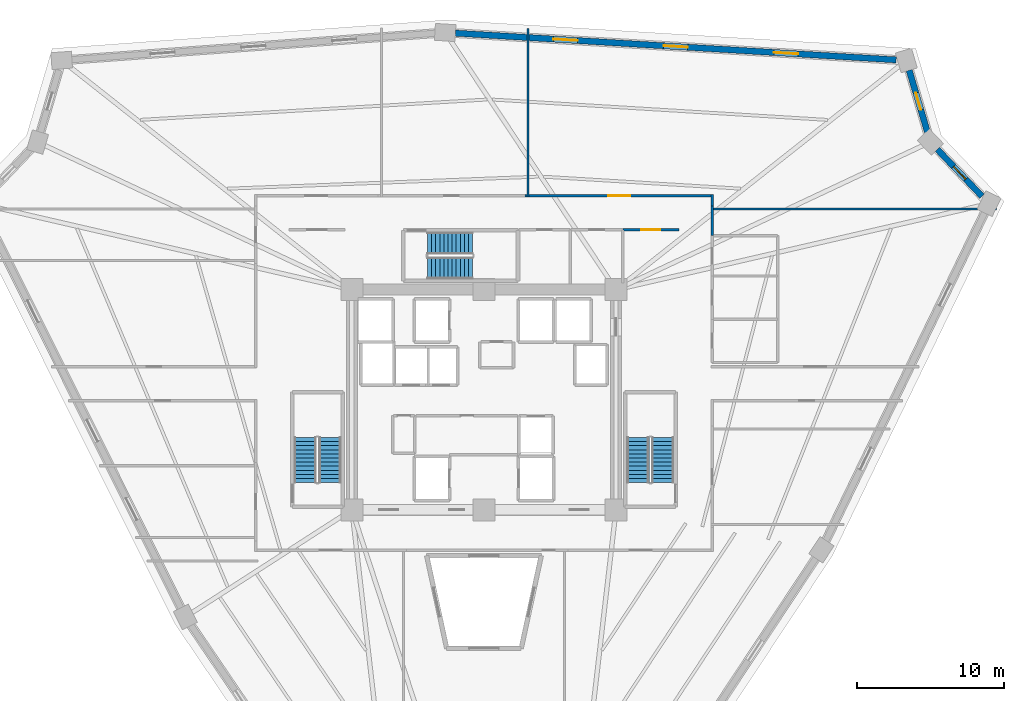
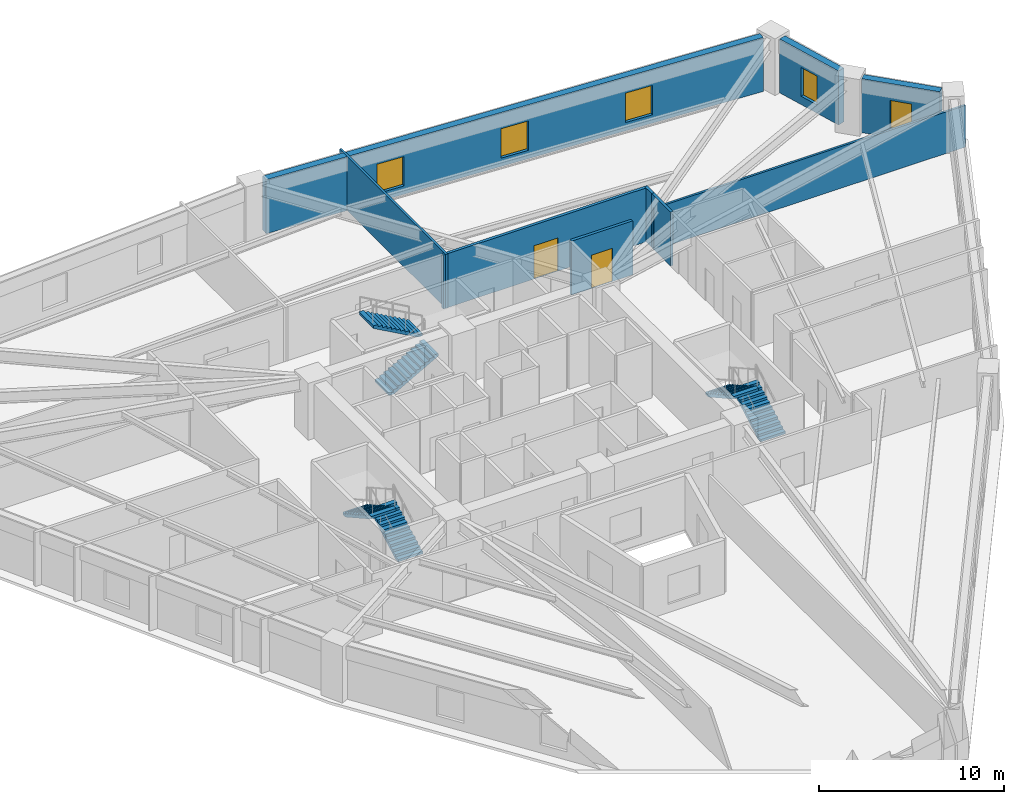
# One storey, part 7 of 8: 9 walls, 6 stair flights, 5 windows, 2 doors, 7 openings, 3 elements without a shape of their own.
"""IFC4 building model written with IfcOpenShell, lengths in metres."""

from ifc_helpers import new_model, si_unit, direction, frame, frame_2d, origin, place, context, subcontext, project, spatial, polyline, rectangle, outline, extrude, source, transform, mapped, material, layer, layer_set, type_object, element, fill, aggregate, save


model = new_model("IFC4")

# Units and contexts
model_context = context("Model", 3, precision=1e-05, world=origin(), true_north=direction((0.0, 1.0)))
body_context = subcontext(model_context, "Body", "Model", "MODEL_VIEW")
ifc_project = project(units=[si_unit("LENGTHUNIT", "METRE"), si_unit("AREAUNIT", "SQUARE_METRE"), si_unit("VOLUMEUNIT", "CUBIC_METRE"), si_unit("PLANEANGLEUNIT", "RADIAN"), si_unit("MASSUNIT", "GRAM", prefix="KILO")], contexts=[model_context])

# Site, building, storey
site_placement = place(None, origin())
site = spatial("IfcSite", under=ifc_project, at=site_placement, CompositionType="ELEMENT")
building_placement = place(site_placement, origin())
building = spatial("IfcBuilding", under=site, at=building_placement, Name="Liaohun Quay Tower", CompositionType="ELEMENT")
storey_placement = place(building_placement, frame((0.0, 0.0, 177.75)))
storey = spatial("IfcBuildingStorey", under=building, at=storey_placement, Name="L46", CompositionType="ELEMENT", Elevation=177.75)

# Wall, opening, window
ifc_material_1 = material(Name="Precast concrete C50 insulated sandwich", Category="concrete")
ifc_layer_1 = layer(ifc_material_1, 0.419921875, Name="Precast concrete C50 insulated sandwich", Category="concrete")
ifc_layer_set_1 = layer_set([ifc_layer_1], Name="Precast concrete C50 insulated sandwich")
wall_type_1 = type_object("IfcWallType", Name="WAL-EXT-Z12", PredefinedType="SOLIDWALL", material=ifc_layer_set_1)
wall_1_placement = place(storey_placement, frame((93.948974609375, 67.864990234375, 0.0), z_axis=(0.0, 0.0, 1.0), x_axis=(-0.68923569457, 0.724537202171, 0.0)))
wall_1 = element("IfcWall", 1, at=wall_1_placement, inside=storey, type_object=wall_type_1, Name="L46 Brutalist Precast Pier Wall 04", PredefinedType="SOLIDWALL", context=body_context, shape_type="SweptSolid", body=[
    extrude(rectangle(XDim=4.419189453125, YDim=0.419921875, at=frame_2d((2.20947265625, 0.0))), origin(), (0.0, 0.0, 1.0), 3.570068359375),
])
shared_shape_1 = source(origin(), body_context, "Body", "SweptSolid", [
    extrude(rectangle(XDim=1.199951171875, YDim=1.89990234375, at=frame_2d((0.60009765625, 0.949951171875))), frame((0.0, 0.219970703125, 0.0), z_axis=(0.0, -1.0, 0.0), x_axis=(1.0, 0.0, 0.0)), (0.0, 0.0, 1.0), 0.43994140625),
])
opening_1_placement = place(wall_1_placement, frame((1.610107421875, 0.0, 0.550048828125)))
opening_1 = element("IfcOpeningElement", 2, at=opening_1_placement, cuts=wall_1, Name="Opening W05", PredefinedType="OPENING", context=body_context, shape_type="MappedRepresentation", body=[
    mapped(shared_shape_1, transform((0.0, 0.0, 0.0), x_axis=(1.0, 0.0, 0.0), y_axis=(0.0, 1.0, 0.0), z_axis=(0.0, 0.0, 1.0), scale=1.0)),
])
ifc_material_2 = material(Name="Triple Low-E corner notch glazing", Category="glass")
window_type_1 = type_object("IfcWindowType", Name="WIN-NOTCH", PartitioningType="SINGLE_PANEL", PredefinedType="WINDOW", material=ifc_material_2)
shared_shape_2 = source(origin(), body_context, "Body", "SweptSolid", [
    extrude(rectangle(XDim=1.199951171875, YDim=1.89990234375, at=frame_2d((0.60009765625, 0.949951171875))), frame((0.0, 0.030029296875, 0.0), z_axis=(0.0, -1.0, 0.0), x_axis=(1.0, 0.0, 0.0)), (0.0, 0.0, 1.0), 0.06005859375),
])
window_1_placement = place(opening_1_placement, origin())
window_1 = element("IfcWindow", 3, at=window_1_placement, inside=storey, type_object=window_type_1, Name="L46 Corner Notch Window W05-04", OverallHeight=1.89990234375, OverallWidth=1.199951171875, PartitioningType="SINGLE_PANEL", PredefinedType="WINDOW", context=body_context, shape_type="MappedRepresentation", body=[
    mapped(shared_shape_2, transform((0.0, 0.0, 0.0), x_axis=(1.0, 0.0, 0.0), y_axis=(0.0, 1.0, 0.0), z_axis=(0.0, 0.0, 1.0), scale=1.0)),
])
fill(opening_1, window_1)

wall_2_placement = place(storey_placement, frame((90.23193359375, 72.22900390625, 0.0), z_axis=(0.0, 0.0, 1.0), x_axis=(-0.283010794754, 0.959116723894, 0.0)))
wall_2 = element("IfcWall", 4, at=wall_2_placement, inside=storey, type_object=wall_type_1, Name="L46 Brutalist Precast Pier Wall 05", PredefinedType="SOLIDWALL", context=body_context, shape_type="SweptSolid", body=[
    extrude(rectangle(XDim=4.413330078125, YDim=0.419921875, at=frame_2d((2.20654296875, 0.0))), origin(), (0.0, 0.0, 1.0), 3.570068359375),
])
opening_2_placement = place(wall_2_placement, frame((1.60693359375, 0.0, 0.550048828125)))
opening_2 = element("IfcOpeningElement", 5, at=opening_2_placement, cuts=wall_2, Name="Opening W05", PredefinedType="OPENING", context=body_context, shape_type="MappedRepresentation", body=[
    mapped(shared_shape_1, transform((0.0, 0.0, 0.0), x_axis=(1.0, 0.0, 0.0), y_axis=(0.0, 1.0, 0.0), z_axis=(0.0, 0.0, 1.0), scale=1.0)),
])
window_2_placement = place(opening_2_placement, origin())
window_2 = element("IfcWindow", 6, at=window_2_placement, inside=storey, type_object=window_type_1, Name="L46 Corner Notch Window W05-05", OverallHeight=1.89990234375, OverallWidth=1.199951171875, PartitioningType="SINGLE_PANEL", PredefinedType="WINDOW", context=body_context, shape_type="MappedRepresentation", body=[
    mapped(shared_shape_2, transform((0.0, 0.0, 0.0), x_axis=(1.0, 0.0, 0.0), y_axis=(0.0, 1.0, 0.0), z_axis=(0.0, 0.0, 1.0), scale=1.0)),
])
fill(opening_2, window_2)

# Wall, openings, windows
wall_3_placement = place(storey_placement, frame((88.09912109375, 77.166015625, 0.0), z_axis=(0.0, 0.0, 1.0), x_axis=(-0.998161501753, 0.060610365596, 0.0)))
wall_3 = element("IfcWall", 7, at=wall_3_placement, inside=storey, type_object=wall_type_1, Name="L46 Brutalist Precast Pier Wall 06", PredefinedType="SOLIDWALL", context=body_context, shape_type="SweptSolid", body=[
    extrude(rectangle(XDim=30.109619140625, YDim=0.419921875, at=frame_2d((15.0546875, 0.0))), origin(), (0.0, 0.0, 1.0), 3.570068359375),
])
shared_shape_3 = source(origin(), body_context, "Body", "SweptSolid", [
    extrude(rectangle(XDim=1.64990234375, YDim=1.949951171875, at=frame_2d((0.824951171875, 0.97509765625))), frame((0.0, 0.219970703125, 0.0), z_axis=(0.0, -1.0, 0.0), x_axis=(1.0, 0.0, 0.0)), (0.0, 0.0, 1.0), 0.43994140625),
])
opening_3_placement = place(wall_3_placement, frame((6.701904296875, 0.0, 0.550048828125)))
opening_3 = element("IfcOpeningElement", 8, at=opening_3_placement, cuts=wall_3, Name="Opening W02", PredefinedType="OPENING", context=body_context, shape_type="MappedRepresentation", body=[
    mapped(shared_shape_3, transform((0.0, 0.0, 0.0), x_axis=(1.0, 0.0, 0.0), y_axis=(0.0, 1.0, 0.0), z_axis=(0.0, 0.0, 1.0), scale=1.0)),
])
opening_4_placement = place(wall_3_placement, frame((14.22998046875, 0.0, 0.550048828125)))
opening_4 = element("IfcOpeningElement", 9, at=opening_4_placement, cuts=wall_3, Name="Opening W02", PredefinedType="OPENING", context=body_context, shape_type="MappedRepresentation", body=[
    mapped(shared_shape_3, transform((0.0, 0.0, 0.0), x_axis=(1.0, 0.0, 0.0), y_axis=(0.0, 1.0, 0.0), z_axis=(0.0, 0.0, 1.0), scale=1.0)),
])
opening_5_placement = place(wall_3_placement, frame((21.757080078125, 0.0, 0.550048828125)))
opening_5 = element("IfcOpeningElement", 10, at=opening_5_placement, cuts=wall_3, Name="Opening W02", PredefinedType="OPENING", context=body_context, shape_type="MappedRepresentation", body=[
    mapped(shared_shape_3, transform((0.0, 0.0, 0.0), x_axis=(1.0, 0.0, 0.0), y_axis=(0.0, 1.0, 0.0), z_axis=(0.0, 0.0, 1.0), scale=1.0)),
])
ifc_material_3 = material(Name="Triple Low-E argon glazing in thermally broken aluminium", Category="aluminium")
window_type_2 = type_object("IfcWindowType", Name="WIN-PUN-Z2", PartitioningType="DOUBLE_PANEL_VERTICAL", PredefinedType="WINDOW", material=ifc_material_3)
shared_shape_4 = source(origin(), body_context, "Body", "SweptSolid", [
    extrude(rectangle(XDim=1.64990234375, YDim=1.949951171875, at=frame_2d((0.824951171875, 0.97509765625))), frame((0.0, 0.030029296875, 0.0), z_axis=(0.0, -1.0, 0.0), x_axis=(1.0, 0.0, 0.0)), (0.0, 0.0, 1.0), 0.06005859375),
])
window_3_placement = place(opening_3_placement, origin())
window_3 = element("IfcWindow", 11, at=window_3_placement, inside=storey, type_object=window_type_2, Name="L46 Recessed Cold-Climate Punched Window 06-1", OverallHeight=1.949951171875, OverallWidth=1.64990234375, PartitioningType="DOUBLE_PANEL_VERTICAL", PredefinedType="WINDOW", context=body_context, shape_type="MappedRepresentation", body=[
    mapped(shared_shape_4, transform((0.0, 0.0, 0.0), x_axis=(1.0, 0.0, 0.0), y_axis=(0.0, 1.0, 0.0), z_axis=(0.0, 0.0, 1.0), scale=1.0)),
])
fill(opening_3, window_3)
window_4_placement = place(opening_4_placement, origin())
window_4 = element("IfcWindow", 12, at=window_4_placement, inside=storey, type_object=window_type_2, Name="L46 Recessed Cold-Climate Punched Window 06-2", OverallHeight=1.949951171875, OverallWidth=1.64990234375, PartitioningType="DOUBLE_PANEL_VERTICAL", PredefinedType="WINDOW", context=body_context, shape_type="MappedRepresentation", body=[
    mapped(shared_shape_4, transform((0.0, 0.0, 0.0), x_axis=(1.0, 0.0, 0.0), y_axis=(0.0, 1.0, 0.0), z_axis=(0.0, 0.0, 1.0), scale=1.0)),
])
fill(opening_4, window_4)
window_5_placement = place(opening_5_placement, origin())
window_5 = element("IfcWindow", 13, at=window_5_placement, inside=storey, type_object=window_type_2, Name="L46 Recessed Cold-Climate Punched Window 06-3", OverallHeight=1.949951171875, OverallWidth=1.64990234375, PartitioningType="DOUBLE_PANEL_VERTICAL", PredefinedType="WINDOW", context=body_context, shape_type="MappedRepresentation", body=[
    mapped(shared_shape_4, transform((0.0, 0.0, 0.0), x_axis=(1.0, 0.0, 0.0), y_axis=(0.0, 1.0, 0.0), z_axis=(0.0, 0.0, 1.0), scale=1.0)),
])
fill(opening_5, window_5)

# Wall, opening, door
ifc_material_4 = material(Name="Autoclaved aerated concrete blockwork", Category="masonry")
ifc_layer_2 = layer(ifc_material_4, 0.179931640625, Name="Autoclaved aerated concrete blockwork", Category="masonry")
ifc_layer_set_2 = layer_set([ifc_layer_2], Name="Autoclaved aerated concrete blockwork")
wall_type_2 = type_object("IfcWallType", Name="WAL-PRT-COR", PredefinedType="PARTITIONING", material=ifc_layer_set_2)
wall_4_placement = place(storey_placement, frame((69.4599609375, 65.580078125, 0.0), z_axis=(0.0, 0.0, 1.0), x_axis=(1.0, 0.0, 0.0)))
wall_4 = element("IfcWall", 14, at=wall_4_placement, inside=storey, type_object=wall_type_2, Name="L46 Interior Partition Wall 010", PredefinedType="PARTITIONING", context=body_context, shape_type="SweptSolid", body=[
    extrude(rectangle(XDim=3.840087890625, YDim=0.179931640625, at=frame_2d((1.919921875, 0.0))), origin(), (0.0, 0.0, 1.0), 3.570068359375),
])
shared_shape_5 = source(origin(), body_context, "Body", "SweptSolid", [
    extrude(rectangle(XDim=1.300048828125, YDim=2.199951171875, at=frame_2d((0.64990234375, 1.10009765625))), frame((0.0, 0.099853515625, 0.0), z_axis=(0.0, -1.0, 0.0), x_axis=(1.0, 0.0, 0.0)), (0.0, 0.0, 1.0), 0.199951171875),
])
opening_6_placement = place(wall_4_placement, frame((1.27001953125, 0.0, 0.0)))
opening_6 = element("IfcOpeningElement", 15, at=opening_6_placement, cuts=wall_4, Name="Opening FD1", PredefinedType="OPENING", context=body_context, shape_type="MappedRepresentation", body=[
    mapped(shared_shape_5, transform((0.0, 0.0, 0.0), x_axis=(1.0, 0.0, 0.0), y_axis=(0.0, 1.0, 0.0), z_axis=(0.0, 0.0, 1.0), scale=1.0)),
])
ifc_material_5 = material(Name="Galvanised steel smokeproof fire door", Category="steel")
door_type_1 = type_object("IfcDoorType", Name="DOR-FFL-1300", OperationType="NOTDEFINED", PredefinedType="DOOR", material=ifc_material_5)
shared_shape_6 = source(origin(), body_context, "Body", "SweptSolid", [
    extrude(rectangle(XDim=1.300048828125, YDim=2.199951171875, at=frame_2d((0.64990234375, 1.10009765625))), frame((0.0, 0.02490234375, 0.0), z_axis=(0.0, -1.0, 0.0), x_axis=(1.0, 0.0, 0.0)), (0.0, 0.0, 1.0), 0.050048828125),
])
door_1_placement = place(opening_6_placement, origin())
door_1 = element("IfcDoor", 16, at=door_1_placement, inside=storey, type_object=door_type_1, Name="L46 East Core Vestibule Door", OperationType="SINGLE_SWING_LEFT", OverallHeight=2.199951171875, OverallWidth=1.300048828125, PredefinedType="DOOR", context=body_context, shape_type="MappedRepresentation", body=[
    mapped(shared_shape_6, transform((0.0, 0.0, 0.0), x_axis=(1.0, 0.0, 0.0), y_axis=(0.0, 1.0, 0.0), z_axis=(0.0, 0.0, 1.0), scale=1.0)),
])
fill(opening_6, door_1)

wall_5_placement = place(storey_placement, frame((62.784912109375, 67.909912109375, 0.0), z_axis=(0.0, 0.0, 1.0), x_axis=(1.0, 0.0, 0.0)))
wall_5 = element("IfcWall", 17, at=wall_5_placement, inside=storey, type_object=wall_type_2, Name="L46 Interior Partition Wall 012", PredefinedType="PARTITIONING", context=body_context, shape_type="SweptSolid", body=[
    extrude(rectangle(XDim=12.844970703125, YDim=0.179931640625, at=frame_2d((6.42236328125, 0.0))), origin(), (0.0, 0.0, 1.0), 3.570068359375),
])
shared_shape_7 = source(origin(), body_context, "Body", "SweptSolid", [
    extrude(rectangle(XDim=1.5, YDim=2.199951171875, at=frame_2d((0.75, 1.10009765625))), frame((0.0, 0.099853515625, 0.0), z_axis=(0.0, -1.0, 0.0), x_axis=(1.0, 0.0, 0.0)), (0.0, 0.0, 1.0), 0.199951171875),
])
opening_7_placement = place(wall_5_placement, frame((5.672119140625, 0.0, 0.0)))
opening_7 = element("IfcOpeningElement", 18, at=opening_7_placement, cuts=wall_5, Name="Opening OD2", PredefinedType="OPENING", context=body_context, shape_type="MappedRepresentation", body=[
    mapped(shared_shape_7, transform((0.0, 0.0, 0.0), x_axis=(1.0, 0.0, 0.0), y_axis=(0.0, 1.0, 0.0), z_axis=(0.0, 0.0, 1.0), scale=1.0)),
])
ifc_material_6 = material(Name="Acoustic oak veneer double door")
door_type_2 = type_object("IfcDoorType", Name="DOR-OFF-1500", OperationType="DOUBLE_DOOR_SINGLE_SWING", PredefinedType="DOOR", material=ifc_material_6)
shared_shape_8 = source(origin(), body_context, "Body", "SweptSolid", [
    extrude(rectangle(XDim=1.5, YDim=2.199951171875, at=frame_2d((0.75, 1.10009765625))), frame((0.0, 0.02490234375, 0.0), z_axis=(0.0, -1.0, 0.0), x_axis=(1.0, 0.0, 0.0)), (0.0, 0.0, 1.0), 0.050048828125),
])
door_2_placement = place(opening_7_placement, origin())
door_2 = element("IfcDoor", 19, at=door_2_placement, inside=storey, type_object=door_type_2, Name="L46 Digital Prototyping Laboratory 02 Door", OperationType="DOUBLE_DOOR_SINGLE_SWING", OverallHeight=2.199951171875, OverallWidth=1.5, PredefinedType="DOOR", context=body_context, shape_type="MappedRepresentation", body=[
    mapped(shared_shape_8, transform((0.0, 0.0, 0.0), x_axis=(1.0, 0.0, 0.0), y_axis=(0.0, 1.0, 0.0), z_axis=(0.0, 0.0, 1.0), scale=1.0)),
])
fill(opening_7, door_2)

# Walls
wall_6_placement = place(storey_placement, frame((75.56005859375, 67.215087890625, 0.0), z_axis=(0.0, 0.0, 1.0), x_axis=(0.0, -1.0, 0.0)))
element("IfcWall", 20, at=wall_6_placement, inside=storey, type_object=wall_type_2, Name="L46 Interior Partition Wall 037", PredefinedType="PARTITIONING", context=body_context, shape_type="SweptSolid", body=[
    extrude(rectangle(XDim=2.03515625, YDim=0.179931640625, at=frame_2d((1.017578125, 0.0))), origin(), (0.0, 0.0, 1.0), 3.570068359375),
])
wall_7_placement = place(storey_placement, frame((75.56005859375, 67.97998046875, 0.0), z_axis=(0.0, 0.0, 1.0), x_axis=(0.0, -1.0, 0.0)))
element("IfcWall", 21, at=wall_7_placement, inside=storey, type_object=wall_type_2, Name="L46 Interior Partition Wall 038", PredefinedType="PARTITIONING", context=body_context, shape_type="SweptSolid", body=[
    extrude(rectangle(XDim=0.764892578125, YDim=0.179931640625, at=frame_2d((0.38232421875, 0.0))), origin(), (0.0, 0.0, 1.0), 3.570068359375),
])
ifc_material_7 = material(Name="Gypsum board on twin steel studs", Category="steel")
ifc_layer_3 = layer(ifc_material_7, 0.139892578125, Name="Gypsum board on twin steel studs", Category="steel")
ifc_layer_set_3 = layer_set([ifc_layer_3], Name="Gypsum board on twin steel studs")
wall_type_3 = type_object("IfcWallType", Name="WAL-PRT-OFF", PredefinedType="PARTITIONING", material=ifc_layer_set_3)
wall_8_placement = place(storey_placement, frame((75.4599609375, 67.0, 0.0), z_axis=(0.0, 0.0, 1.0), x_axis=(1.0, 0.0, 0.0)))
element("IfcWall", 22, at=wall_8_placement, inside=storey, type_object=wall_type_3, Name="L46 Interior Partition Wall 052", PredefinedType="PARTITIONING", context=body_context, shape_type="SweptSolid", body=[
    extrude(rectangle(XDim=19.489013671875, YDim=0.139892578125, at=frame_2d((9.74462890625, 0.0))), origin(), (0.0, 0.0, 1.0), 2.7548828125),
])
wall_9_placement = place(storey_placement, frame((63.0, 67.81005859375, 0.0), z_axis=(0.0, 0.0, 1.0), x_axis=(0.0, 1.0, 0.0)))
element("IfcWall", 23, at=wall_9_placement, inside=storey, type_object=wall_type_3, Name="L46 Interior Partition Wall 054", PredefinedType="PARTITIONING", context=body_context, shape_type="SweptSolid", body=[
    extrude(rectangle(XDim=11.510986328125, YDim=0.139892578125, at=frame_2d((5.75537109375, 0.0))), origin(), (0.0, 0.0, 1.0), 3.570068359375),
])

# Stair, stair flights
ifc_material_8 = material(Name="Concrete C45", Category="concrete")
stair_type = type_object("IfcStairType", Name="STR-CORE-OFF", PredefinedType="HALF_TURN_STAIR", material=ifc_material_8)
stair_1_placement = place(storey_placement, origin())
stair_1 = element("IfcStair", 24, at=stair_1_placement, inside=storey, type_object=stair_type, Name="L46 Smokeproof Core Exit Stair ST-1", PredefinedType="HALF_TURN_STAIR")
stair_flight_type = type_object("IfcStairFlightType", Name="FLT-CORE-155", PredefinedType="STRAIGHT", material=ifc_material_8)
stair_flight_1_placement = place(storey_placement, frame((49.5048828125, 48.35009765625, 0.0), z_axis=(0.0, 0.0, 1.0), x_axis=(0.0, 1.0, 0.0)))
stair_flight_1 = element("IfcStairFlight", 25, at=stair_flight_1_placement, type_object=stair_flight_type, Name="ST-1 flight 1", NumberOfRisers=12, NumberOfTreads=11, PredefinedType="STRAIGHT", RiserHeight=0.15625, TreadLength=0.28, context=body_context, shape_type="SweptSolid", body=[
    extrude(outline(polyline([(0.0, 0.0), (0.0, 0.15625), (0.280029296875, 0.15625), (0.280029296875, 0.3125), (0.56005859375, 0.3125), (0.56005859375, 0.46875), (0.840087890625, 0.46875), (0.840087890625, 0.625), (1.1201171875, 0.625), (1.1201171875, 0.78125), (1.39990234375, 0.78125), (1.39990234375, 0.9375), (1.679931640625, 0.9375), (1.679931640625, 1.09375), (1.9599609375, 1.09375), (1.9599609375, 1.25), (2.239990234375, 1.25), (2.239990234375, 1.40625), (2.52001953125, 1.40625), (2.52001953125, 1.5625), (2.800048828125, 1.5625), (2.800048828125, 1.71875), (3.080078125, 1.71875), (3.080078125, 1.875), (3.080078125, 1.547119140625), (0.3076171875, 0.0), (0.0, 0.0)])), frame((0.0, 0.77490234375, 0.0), z_axis=(0.0, -1.0, 0.0), x_axis=(1.0, 0.0, 0.0)), (0.0, 0.0, 1.0), 1.550048828125),
])
stair_flight_2_placement = place(storey_placement, frame((47.81494140625, 51.429931640625, 1.875), z_axis=(0.0, 0.0, 1.0), x_axis=(0.0, -1.0, 0.0)))
stair_flight_2 = element("IfcStairFlight", 26, at=stair_flight_2_placement, type_object=stair_flight_type, Name="ST-1 flight 2", NumberOfRisers=12, NumberOfTreads=11, PredefinedType="STRAIGHT", RiserHeight=0.15625, TreadLength=0.28, context=body_context, shape_type="SweptSolid", body=[
    extrude(outline(polyline([(0.0, 0.0), (0.0, 0.15625), (0.280029296875, 0.15625), (0.280029296875, 0.3125), (0.56005859375, 0.3125), (0.56005859375, 0.46875), (0.840087890625, 0.46875), (0.840087890625, 0.625), (1.1201171875, 0.625), (1.1201171875, 0.78125), (1.39990234375, 0.78125), (1.39990234375, 0.9375), (1.679931640625, 0.9375), (1.679931640625, 1.09375), (1.9599609375, 1.09375), (1.9599609375, 1.25), (2.239990234375, 1.25), (2.239990234375, 1.40625), (2.52001953125, 1.40625), (2.52001953125, 1.5625), (2.800048828125, 1.5625), (2.800048828125, 1.71875), (3.080078125, 1.71875), (3.080078125, 1.875), (3.080078125, 1.547119140625), (0.3076171875, 0.0), (0.0, 0.0)])), frame((0.0, 0.77490234375, 0.0), z_axis=(0.0, -1.0, 0.0), x_axis=(1.0, 0.0, 0.0)), (0.0, 0.0, 1.0), 1.550048828125),
])
aggregate(stair_1, [stair_flight_1, stair_flight_2])

stair_2_placement = place(storey_placement, origin())
stair_2 = element("IfcStair", 27, at=stair_2_placement, inside=storey, type_object=stair_type, Name="L46 Smokeproof Core Exit Stair ST-2", PredefinedType="HALF_TURN_STAIR")
stair_flight_3_placement = place(storey_placement, frame((72.18505859375, 48.35009765625, 0.0), z_axis=(0.0, 0.0, 1.0), x_axis=(0.0, 1.0, 0.0)))
stair_flight_3 = element("IfcStairFlight", 28, at=stair_flight_3_placement, type_object=stair_flight_type, Name="ST-2 flight 1", NumberOfRisers=12, NumberOfTreads=11, PredefinedType="STRAIGHT", RiserHeight=0.15625, TreadLength=0.28, context=body_context, shape_type="SweptSolid", body=[
    extrude(outline(polyline([(0.0, 0.0), (0.0, 0.15625), (0.280029296875, 0.15625), (0.280029296875, 0.3125), (0.56005859375, 0.3125), (0.56005859375, 0.46875), (0.840087890625, 0.46875), (0.840087890625, 0.625), (1.1201171875, 0.625), (1.1201171875, 0.78125), (1.39990234375, 0.78125), (1.39990234375, 0.9375), (1.679931640625, 0.9375), (1.679931640625, 1.09375), (1.9599609375, 1.09375), (1.9599609375, 1.25), (2.239990234375, 1.25), (2.239990234375, 1.40625), (2.52001953125, 1.40625), (2.52001953125, 1.5625), (2.800048828125, 1.5625), (2.800048828125, 1.71875), (3.080078125, 1.71875), (3.080078125, 1.875), (3.080078125, 1.547119140625), (0.3076171875, 0.0), (0.0, 0.0)])), frame((0.0, 0.77490234375, 0.0), z_axis=(0.0, -1.0, 0.0), x_axis=(1.0, 0.0, 0.0)), (0.0, 0.0, 1.0), 1.550048828125),
])
stair_flight_4_placement = place(storey_placement, frame((70.4951171875, 51.429931640625, 1.875), z_axis=(0.0, 0.0, 1.0), x_axis=(0.0, -1.0, 0.0)))
stair_flight_4 = element("IfcStairFlight", 29, at=stair_flight_4_placement, type_object=stair_flight_type, Name="ST-2 flight 2", NumberOfRisers=12, NumberOfTreads=11, PredefinedType="STRAIGHT", RiserHeight=0.15625, TreadLength=0.28, context=body_context, shape_type="SweptSolid", body=[
    extrude(outline(polyline([(0.0, 0.0), (0.0, 0.15625), (0.280029296875, 0.15625), (0.280029296875, 0.3125), (0.56005859375, 0.3125), (0.56005859375, 0.46875), (0.840087890625, 0.46875), (0.840087890625, 0.625), (1.1201171875, 0.625), (1.1201171875, 0.78125), (1.39990234375, 0.78125), (1.39990234375, 0.9375), (1.679931640625, 0.9375), (1.679931640625, 1.09375), (1.9599609375, 1.09375), (1.9599609375, 1.25), (2.239990234375, 1.25), (2.239990234375, 1.40625), (2.52001953125, 1.40625), (2.52001953125, 1.5625), (2.800048828125, 1.5625), (2.800048828125, 1.71875), (3.080078125, 1.71875), (3.080078125, 1.875), (3.080078125, 1.547119140625), (0.3076171875, 0.0), (0.0, 0.0)])), frame((0.0, 0.77490234375, 0.0), z_axis=(0.0, -1.0, 0.0), x_axis=(1.0, 0.0, 0.0)), (0.0, 0.0, 1.0), 1.550048828125),
])
aggregate(stair_2, [stair_flight_3, stair_flight_4])

stair_3_placement = place(storey_placement, origin())
stair_3 = element("IfcStair", 30, at=stair_3_placement, inside=storey, type_object=stair_type, Name="L46 Smokeproof Core Exit Stair ST-3", PredefinedType="HALF_TURN_STAIR")
stair_flight_5_placement = place(storey_placement, frame((56.14990234375, 62.97509765625, 0.0), z_axis=(0.0, 0.0, 1.0), x_axis=(1.0, 0.0, 0.0)))
stair_flight_5 = element("IfcStairFlight", 31, at=stair_flight_5_placement, type_object=stair_flight_type, Name="ST-3 flight 1", NumberOfRisers=12, NumberOfTreads=11, PredefinedType="STRAIGHT", RiserHeight=0.15625, TreadLength=0.28, context=body_context, shape_type="SweptSolid", body=[
    extrude(outline(polyline([(0.0, 0.0), (0.0, 0.15625), (0.280029296875, 0.15625), (0.280029296875, 0.3125), (0.56005859375, 0.3125), (0.56005859375, 0.46875), (0.840087890625, 0.46875), (0.840087890625, 0.625), (1.1201171875, 0.625), (1.1201171875, 0.78125), (1.39990234375, 0.78125), (1.39990234375, 0.9375), (1.679931640625, 0.9375), (1.679931640625, 1.09375), (1.9599609375, 1.09375), (1.9599609375, 1.25), (2.239990234375, 1.25), (2.239990234375, 1.40625), (2.52001953125, 1.40625), (2.52001953125, 1.5625), (2.800048828125, 1.5625), (2.800048828125, 1.71875), (3.080078125, 1.71875), (3.080078125, 1.875), (3.080078125, 1.547119140625), (0.3076171875, 0.0), (0.0, 0.0)])), frame((0.0, 0.77490234375, 0.0), z_axis=(0.0, -1.0, 0.0), x_axis=(1.0, 0.0, 0.0)), (0.0, 0.0, 1.0), 1.550048828125),
])
stair_flight_6_placement = place(storey_placement, frame((59.22998046875, 64.6650390625, 1.875), z_axis=(0.0, 0.0, 1.0), x_axis=(-1.0, 0.0, 0.0)))
stair_flight_6 = element("IfcStairFlight", 32, at=stair_flight_6_placement, type_object=stair_flight_type, Name="ST-3 flight 2", NumberOfRisers=12, NumberOfTreads=11, PredefinedType="STRAIGHT", RiserHeight=0.15625, TreadLength=0.28, context=body_context, shape_type="SweptSolid", body=[
    extrude(outline(polyline([(0.0, 0.0), (0.0, 0.15625), (0.280029296875, 0.15625), (0.280029296875, 0.3125), (0.56005859375, 0.3125), (0.56005859375, 0.46875), (0.840087890625, 0.46875), (0.840087890625, 0.625), (1.1201171875, 0.625), (1.1201171875, 0.78125), (1.39990234375, 0.78125), (1.39990234375, 0.9375), (1.679931640625, 0.9375), (1.679931640625, 1.09375), (1.9599609375, 1.09375), (1.9599609375, 1.25), (2.239990234375, 1.25), (2.239990234375, 1.40625), (2.52001953125, 1.40625), (2.52001953125, 1.5625), (2.800048828125, 1.5625), (2.800048828125, 1.71875), (3.080078125, 1.71875), (3.080078125, 1.875), (3.080078125, 1.547119140625), (0.3076171875, 0.0), (0.0, 0.0)])), frame((0.0, 0.77490234375, 0.0), z_axis=(0.0, -1.0, 0.0), x_axis=(1.0, 0.0, 0.0)), (0.0, 0.0, 1.0), 1.550048828125),
])
aggregate(stair_3, [stair_flight_5, stair_flight_6])

save(model, "model.ifc")
